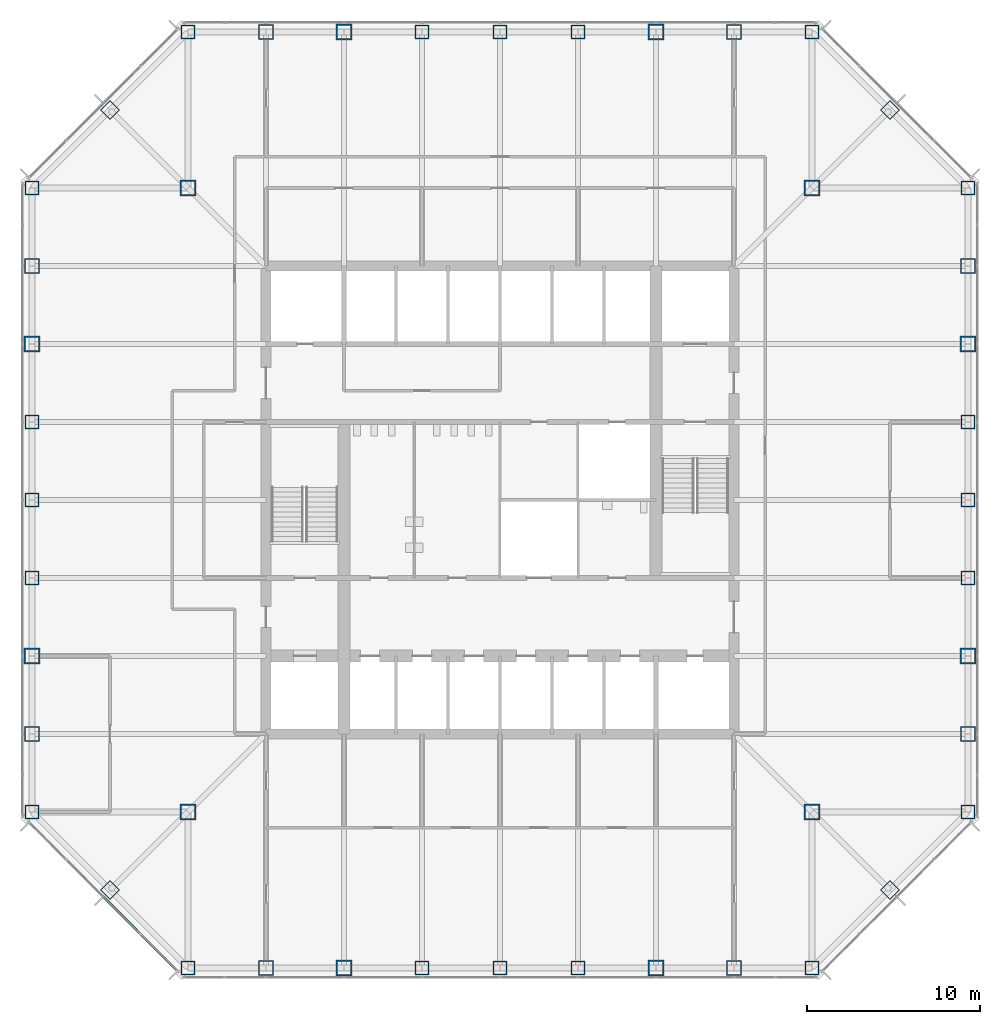
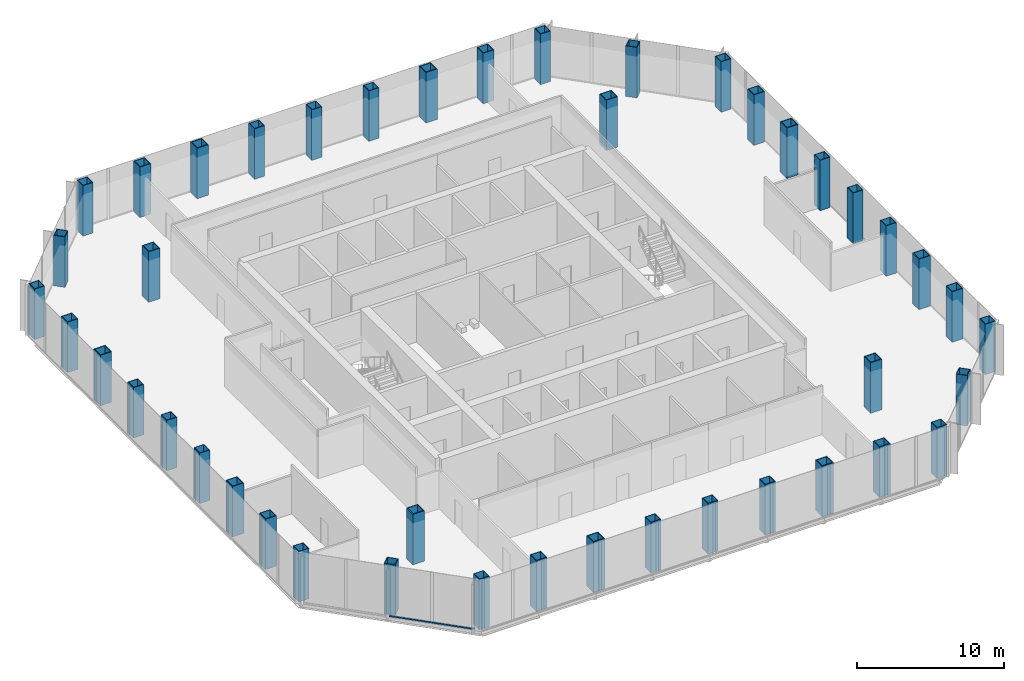
# One storey, part 1 of 12: 44 columns, 2 members, 1 element without a shape of its own.
"""IFC4 building model written with IfcOpenShell, lengths in metres."""

from ifc_helpers import new_model, si_unit, direction, frame, origin, origin_2d, place, context, subcontext, project, spatial, rectangle, hollow_rectangle, extrude, material, material_profile, profile_set, type_object, element, aggregate, save


model = new_model("IFC4")

# Units and contexts
model_context = context("Model", 3, precision=1e-05, world=origin(), true_north=direction((0.0, 1.0)))
body_context = subcontext(model_context, "Body", "Model", "MODEL_VIEW")
ifc_project = project(units=[si_unit("LENGTHUNIT", "METRE"), si_unit("AREAUNIT", "SQUARE_METRE"), si_unit("VOLUMEUNIT", "CUBIC_METRE"), si_unit("PLANEANGLEUNIT", "RADIAN"), si_unit("MASSUNIT", "GRAM", prefix="KILO")], contexts=[model_context])

# Site, building, storey
site_placement = place(None, origin())
site = spatial("IfcSite", under=ifc_project, at=site_placement, CompositionType="ELEMENT")
building_placement = place(site_placement, origin())
building = spatial("IfcBuilding", under=site, at=building_placement, Name="Corais Broadcast Tower", CompositionType="ELEMENT")
storey_placement = place(building_placement, frame((0.0, 0.0, 58.39990234375)))
storey = spatial("IfcBuildingStorey", under=building, at=storey_placement, Name="L12", CompositionType="ELEMENT", Elevation=58.39990234375)

# Columns
ifc_material_1 = material(Name="Steel ASTM A572 Grade 50", Category="steel")
ifc_material_profile_1 = material_profile(ifc_material_1, hollow_rectangle(XDim=0.800048828125, YDim=0.800048828125, WallThickness=0.044921875, at=origin_2d()), Name="BOX 800x800x45")
ifc_profile_set_1 = profile_set([ifc_material_profile_1], Name="Steel ASTM A572 Grade 50")
column_type_1 = type_object("IfcColumnType", Name="Column BOX 800x800x45", PredefinedType="COLUMN", material=ifc_profile_set_1)
for number, where, z_axis, x_axis, name in (
    (1, (9.0, 0.0, 0.0), (0.0, 0.0, 1.0), (1.0, 0.0, 0.0), "C3 A/5"),
    (2, (22.5, 0.0, 0.0), (0.0, 0.0, 1.0), (1.0, 0.0, 0.0), "C3 A/8"),
    (3, (27.0, 0.0, 0.0), (0.0, 0.0, 1.0), (1.0, 0.0, 0.0), "C3 A/9"),
    (4, (31.5, 0.0, 0.0), (0.0, 0.0, 1.0), (1.0, 0.0, 0.0), "C3 A/10"),
    (5, (45.0, 0.0, 0.0), (0.0, 0.0, 1.0), (1.0, 0.0, 0.0), "C3 A/13"),
    (6, (54.0, 9.0, 0.0), (0.0, 0.0, 1.0), (1.0, 0.0, 0.0), "C3 C/15"),
    (7, (54.0, 22.5, 0.0), (0.0, 0.0, 1.0), (1.0, 0.0, 0.0), "C3 F/15"),
    (8, (54.0, 27.0, 0.0), (0.0, 0.0, 1.0), (1.0, 0.0, 0.0), "C3 G/15"),
    (9, (54.0, 31.5, 0.0), (0.0, 0.0, 1.0), (1.0, 0.0, 0.0), "C3 H/15"),
    (10, (54.0, 45.0, 0.0), (0.0, 0.0, 1.0), (1.0, 0.0, 0.0), "C3 L/15"),
    (11, (45.0, 54.0, 0.0), (0.0, 0.0, 1.0), (1.0, 0.0, 0.0), "C3 N/13"),
    (12, (31.5, 54.0, 0.0), (0.0, 0.0, 1.0), (1.0, 0.0, 0.0), "C3 N/10"),
    (13, (27.0, 54.0, 0.0), (0.0, 0.0, 1.0), (1.0, 0.0, 0.0), "C3 N/9"),
    (14, (22.5, 54.0, 0.0), (0.0, 0.0, 1.0), (1.0, 0.0, 0.0), "C3 N/8"),
    (15, (9.0, 54.0, 0.0), (0.0, 0.0, 1.0), (1.0, 0.0, 0.0), "C3 N/5"),
    (16, (0.0, 45.0, 0.0), (0.0, 0.0, 1.0), (1.0, 0.0, 0.0), "C3 L/3"),
    (17, (0.0, 31.5, 0.0), (0.0, 0.0, 1.0), (1.0, 0.0, 0.0), "C3 H/3"),
    (18, (0.0, 27.0, 0.0), (0.0, 0.0, 1.0), (1.0, 0.0, 0.0), "C3 G/3"),
    (19, (0.0, 22.5, 0.0), (0.0, 0.0, 1.0), (1.0, 0.0, 0.0), "C3 F/3"),
    (20, (0.0, 9.0, 0.0), (0.0, 0.0, 1.0), (1.0, 0.0, 0.0), "C3 C/3"),
    (21, (4.5, 4.5, 0.0), (0.0, 0.0, 1.0), (0.707106781187, 0.707106781187, 0.0), "C3 B/4"),
    (22, (49.5, 4.5, 0.0), (0.0, 0.0, 1.0), (0.707106781187, 0.707106781187, 0.0), "C3 B/14"),
    (23, (49.5, 49.5, 0.0), (0.0, 0.0, 1.0), (0.707106781187, 0.707106781187, 0.0), "C3 M/14"),
    (24, (4.5, 49.5, 0.0), (0.0, 0.0, 1.0), (0.707106781187, 0.707106781187, 0.0), "C3 M/4"),
):
    element("IfcColumn", number, at=place(storey_placement, frame(where, z_axis=z_axis, x_axis=x_axis)), inside=storey, type_object=column_type_1, Name=name, PredefinedType="COLUMN", context=body_context, shape_type="SweptSolid", body=[
        extrude(hollow_rectangle(XDim=0.800048828125, YDim=0.800048828125, WallThickness=0.044921875, at=origin_2d()), origin(), (0.0, 0.0, 1.0), 4.2001953125),
    ])
ifc_material_2 = material(Name="Steel ASTM A572 Grade 50", Category="steel")
ifc_material_profile_2 = material_profile(ifc_material_2, hollow_rectangle(XDim=0.85009765625, YDim=0.85009765625, WallThickness=0.050048828125, at=origin_2d()), Name="BOX 850x850x50")
ifc_profile_set_2 = profile_set([ifc_material_profile_2], Name="Steel ASTM A572 Grade 50")
column_type_2 = type_object("IfcColumnType", Name="Column BOX 850x850x50", PredefinedType="COLUMN", material=ifc_profile_set_2)
for number, where, z_axis, x_axis, name in (
    (25, (13.5, 0.0, 0.0), (0.0, 0.0, 1.0), (1.0, 0.0, 0.0), "C1 A/6"),
    (26, (40.5, 0.0, 0.0), (0.0, 0.0, 1.0), (1.0, 0.0, 0.0), "C1 A/12"),
    (27, (54.0, 13.5, 0.0), (0.0, 0.0, 1.0), (1.0, 0.0, 0.0), "C1 D/15"),
    (28, (54.0, 40.5, 0.0), (0.0, 0.0, 1.0), (1.0, 0.0, 0.0), "C1 K/15"),
    (29, (40.5, 54.0, 0.0), (0.0, 0.0, 1.0), (1.0, 0.0, 0.0), "C1 N/12"),
    (30, (13.5, 54.0, 0.0), (0.0, 0.0, 1.0), (1.0, 0.0, 0.0), "C1 N/6"),
    (31, (0.0, 40.5, 0.0), (0.0, 0.0, 1.0), (1.0, 0.0, 0.0), "C1 K/3"),
    (32, (0.0, 13.5, 0.0), (0.0, 0.0, 1.0), (1.0, 0.0, 0.0), "C1 D/3"),
):
    element("IfcColumn", number, at=place(storey_placement, frame(where, z_axis=z_axis, x_axis=x_axis)), inside=storey, type_object=column_type_2, Name=name, PredefinedType="COLUMN", context=body_context, shape_type="SweptSolid", body=[
        extrude(hollow_rectangle(XDim=0.85009765625, YDim=0.85009765625, WallThickness=0.050048828125, at=origin_2d()), origin(), (0.0, 0.0, 1.0), 4.2001953125),
    ])
ifc_material_3 = material(Name="Steel ASTM A572 Grade 50", Category="steel")
ifc_material_profile_3 = material_profile(ifc_material_3, hollow_rectangle(XDim=0.89990234375, YDim=0.89990234375, WallThickness=0.06298828125, at=origin_2d()), Name="BOX 900x900x63")
ifc_profile_set_3 = profile_set([ifc_material_profile_3], Name="Steel ASTM A572 Grade 50")
column_type_3 = type_object("IfcColumnType", Name="Column BOX 900x900x63", PredefinedType="COLUMN", material=ifc_profile_set_3)
for number, where, z_axis, x_axis, name in (
    (33, (18.0, 0.0, 0.0), (0.0, 0.0, 1.0), (1.0, 0.0, 0.0), "C2 A/7"),
    (34, (36.0, 0.0, 0.0), (0.0, 0.0, 1.0), (1.0, 0.0, 0.0), "C2 A/11"),
    (35, (54.0, 18.0, 0.0), (0.0, 0.0, 1.0), (1.0, 0.0, 0.0), "C2 E/15"),
    (36, (54.0, 36.0, 0.0), (0.0, 0.0, 1.0), (1.0, 0.0, 0.0), "C2 J/15"),
    (37, (36.0, 54.0, 0.0), (0.0, 0.0, 1.0), (1.0, 0.0, 0.0), "C2 N/11"),
    (38, (18.0, 54.0, 0.0), (0.0, 0.0, 1.0), (1.0, 0.0, 0.0), "C2 N/7"),
    (39, (0.0, 36.0, 0.0), (0.0, 0.0, 1.0), (1.0, 0.0, 0.0), "C2 J/3"),
    (40, (0.0, 18.0, 0.0), (0.0, 0.0, 1.0), (1.0, 0.0, 0.0), "C2 E/3"),
    (41, (9.0, 9.0, 0.0), (0.0, 0.0, 1.0), (1.0, 0.0, 0.0), "C2 C/5"),
    (42, (45.0, 9.0, 0.0), (0.0, 0.0, 1.0), (1.0, 0.0, 0.0), "C2 C/13"),
    (43, (45.0, 45.0, 0.0), (0.0, 0.0, 1.0), (1.0, 0.0, 0.0), "C2 L/13"),
    (44, (9.0, 45.0, 0.0), (0.0, 0.0, 1.0), (1.0, 0.0, 0.0), "C2 L/5"),
):
    element("IfcColumn", number, at=place(storey_placement, frame(where, z_axis=z_axis, x_axis=x_axis)), inside=storey, type_object=column_type_3, Name=name, PredefinedType="COLUMN", context=body_context, shape_type="SweptSolid", body=[
        extrude(hollow_rectangle(XDim=0.89990234375, YDim=0.89990234375, WallThickness=0.06298828125, at=origin_2d()), origin(), (0.0, 0.0, 1.0), 4.2001953125),
    ])

# Curtain wall, members
ifc_material_4 = material(Name="Aluminium and glass", Category="aluminium")
curtain_wall_type = type_object("IfcCurtainWallType", Name="Unitised fritted curtain wall CW1", PredefinedType="NOTDEFINED", material=ifc_material_4)
curtain_wall_placement = place(storey_placement, origin())
curtain_wall = element("IfcCurtainWall", 45, at=curtain_wall_placement, inside=storey, type_object=curtain_wall_type, Name="CW1 curtain wall L12 1", PredefinedType="NOTDEFINED")
ifc_material_5 = material(Name="Aluminium 6063-T6", Category="aluminium")
ifc_material_profile_4 = material_profile(ifc_material_5, rectangle(XDim=0.139892578125, YDim=0.06494140625, at=origin_2d()), Name="Transom CW1 65x140")
ifc_profile_set_4 = profile_set([ifc_material_profile_4], Name="Aluminium 6063-T6")
member_type = type_object("IfcMemberType", Name="Transom CW1 65x140", PredefinedType="USERDEFINED", material=ifc_profile_set_4)
member_1_placement = place(storey_placement, frame((8.37255859375, -0.150390625, 0.03271484375), z_axis=(-0.707106781187, 0.707106781187, 0.0), x_axis=(-0.707106781187, -0.707106781187, 0.0)))
member_1 = element("IfcMember", 46, at=member_1_placement, type_object=member_type, Name="CW1 transom 1.1", ObjectType="TRANSOM", PredefinedType="USERDEFINED", context=body_context, shape_type="SweptSolid", body=[
    extrude(rectangle(XDim=0.139892578125, YDim=0.06494140625, at=origin_2d()), origin(), (0.0, 0.0, 1.0), 2.9482421875),
])
member_2_placement = place(storey_placement, frame((6.241943359375, 1.980224609375, 0.03271484375), z_axis=(-0.707106781187, 0.707106781187, 0.0), x_axis=(-0.707106781187, -0.707106781187, 0.0)))
member_2 = element("IfcMember", 47, at=member_2_placement, type_object=member_type, Name="CW1 transom 2.1", ObjectType="TRANSOM", PredefinedType="USERDEFINED", context=body_context, shape_type="SweptSolid", body=[
    extrude(rectangle(XDim=0.139892578125, YDim=0.06494140625, at=origin_2d()), origin(), (0.0, 0.0, 1.0), 2.98095703125),
])
aggregate(curtain_wall, [member_1, member_2])

save(model, "model.ifc")
